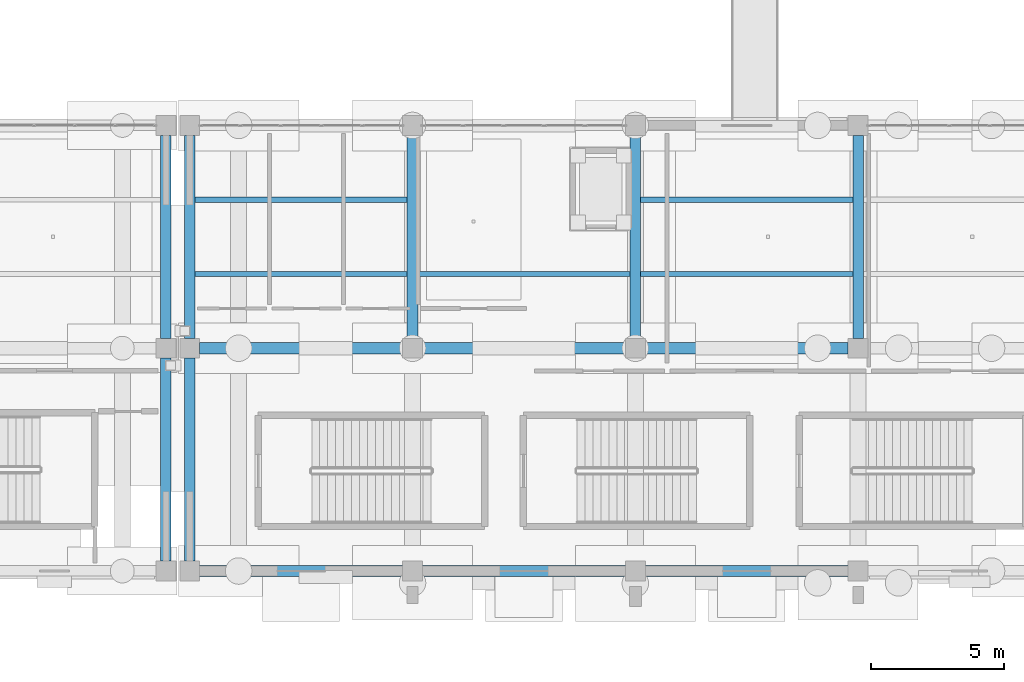
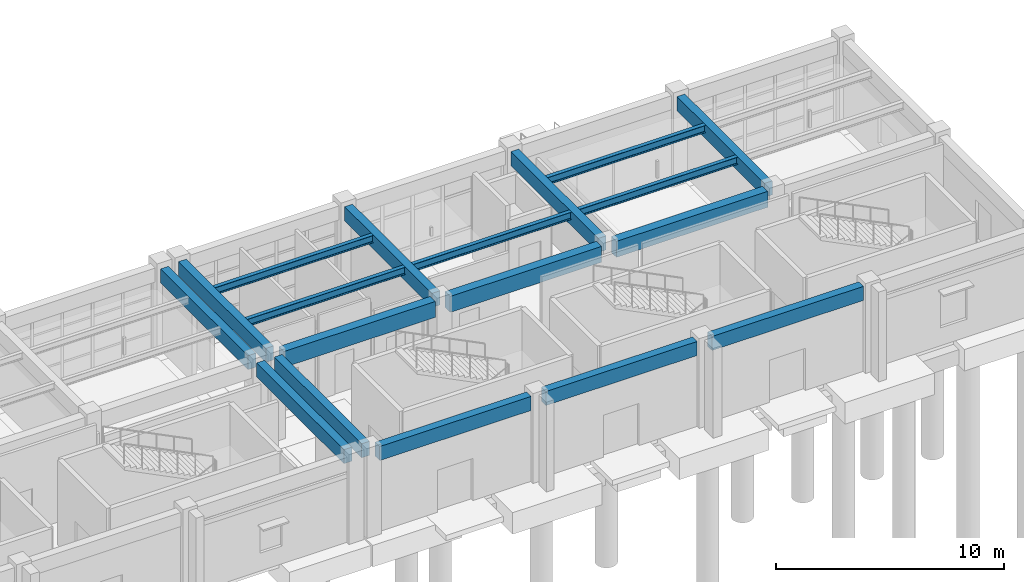
# One storey, part 8 of 29: 18 beams.
"""IFC4 building model written with IfcOpenShell, lengths in metres."""

from ifc_helpers import new_model, si_unit, direction, frame, origin, origin_2d, place, context, subcontext, project, spatial, rectangle, i_section, extrude, material, material_profile, profile_set, type_object, element, save


model = new_model("IFC4")

# Units and contexts
model_context = context("Model", 3, precision=1e-05, world=origin(), true_north=direction((0.0, 1.0)))
body_context = subcontext(model_context, "Body", "Model", "MODEL_VIEW")
ifc_project = project(units=[si_unit("LENGTHUNIT", "METRE"), si_unit("AREAUNIT", "SQUARE_METRE"), si_unit("VOLUMEUNIT", "CUBIC_METRE"), si_unit("PLANEANGLEUNIT", "RADIAN"), si_unit("MASSUNIT", "GRAM", prefix="KILO")], contexts=[model_context])

# Site, building, storey
site_placement = place(None, origin())
site = spatial("IfcSite", under=ifc_project, at=site_placement, CompositionType="ELEMENT")
building_placement = place(site_placement, origin())
building = spatial("IfcBuilding", under=site, at=building_placement, Name="Canglan Escarpment Cableway Terminal", CompositionType="ELEMENT")
storey_placement = place(building_placement, origin())
storey = spatial("IfcBuildingStorey", under=building, at=storey_placement, Name="L00", CompositionType="ELEMENT", Elevation=0.0)

# Beams
ifc_material_1 = material(Name="Concrete C40", Category="concrete")
ifc_material_profile_1 = material_profile(ifc_material_1, rectangle(XDim=0.39990234375, YDim=0.75, at=origin_2d()), Name="RC 400x750")
ifc_profile_set_1 = profile_set([ifc_material_profile_1], Name="Concrete C40")
beam_type_1 = type_object("IfcBeamType", Name="BM-RC400x750", PredefinedType="BEAM", material=ifc_profile_set_1)
beam_1_placement = place(storey_placement, frame((41.60009765625, 8.375, 4.175048828125), z_axis=(0.0, 1.0, 0.0), x_axis=(-1.0, 0.0, 0.0)))
element("IfcBeam", 1, at=beam_1_placement, inside=storey, type_object=beam_type_1, Name="Primary transverse girder B-03", PredefinedType="BEAM", context=body_context, shape_type="SweptSolid", body=[
    extrude(rectangle(XDim=0.39990234375, YDim=0.75, at=origin_2d()), origin(), (0.0, 0.0, 1.0), 7.64990234375),
])
beam_2_placement = place(storey_placement, frame((41.60009765625, 16.77490234375, 4.10498046875), z_axis=(0.0, 1.0, 0.0), x_axis=(-1.0, 0.0, 0.0)))
element("IfcBeam", 2, at=beam_2_placement, inside=storey, type_object=beam_type_1, Name="Primary transverse girder B-03", PredefinedType="BEAM", context=body_context, shape_type="SweptSolid", body=[
    extrude(rectangle(XDim=0.39990234375, YDim=0.75, at=origin_2d()), origin(), (0.0, 0.0, 1.0), 7.650146484375),
])
beam_3_placement = place(storey_placement, frame((42.5, 8.375, 4.175048828125), z_axis=(0.0, 1.0, 0.0), x_axis=(-1.0, 0.0, 0.0)))
element("IfcBeam", 3, at=beam_3_placement, inside=storey, type_object=beam_type_1, Name="Primary transverse girder B-03", PredefinedType="BEAM", context=body_context, shape_type="SweptSolid", body=[
    extrude(rectangle(XDim=0.39990234375, YDim=0.75, at=origin_2d()), origin(), (0.0, 0.0, 1.0), 7.64990234375),
])
for number, where, z_axis, x_axis, name in (
    (4, (42.5, 16.77490234375, 4.175048828125), (0.0, 1.0, 0.0), (-1.0, 0.0, 0.0), "Primary transverse girder B-03"),
    (5, (50.89990234375, 16.77490234375, 4.175048828125), (0.0, 1.0, 0.0), (-1.0, 0.0, 0.0), "Primary transverse girder B-03"),
    (6, (59.300048828125, 16.77490234375, 4.175048828125), (0.0, 1.0, 0.0), (-1.0, 0.0, 0.0), "Primary transverse girder B-03"),
    (7, (67.699951171875, 16.77490234375, 4.175048828125), (0.0, 1.0, 0.0), (-1.0, 0.0, 0.0), "Primary transverse girder B-03"),
):
    element("IfcBeam", number, at=place(storey_placement, frame(where, z_axis=z_axis, x_axis=x_axis)), inside=storey, type_object=beam_type_1, Name=name, PredefinedType="BEAM", context=body_context, shape_type="SweptSolid", body=[
        extrude(rectangle(XDim=0.39990234375, YDim=0.75, at=origin_2d()), origin(), (0.0, 0.0, 1.0), 7.650146484375),
    ])
ifc_material_profile_2 = material_profile(ifc_material_1, rectangle(XDim=0.449951171875, YDim=0.85009765625, at=origin_2d()), Name="RC 450x850")
ifc_profile_set_2 = profile_set([ifc_material_profile_2], Name="Concrete C40")
beam_type_2 = type_object("IfcBeamType", Name="BM-RC450x850", PredefinedType="BEAM", material=ifc_profile_set_2)
beam_4_placement = place(storey_placement, frame((42.875, 16.39990234375, 4.125), z_axis=(1.0, 0.0, 0.0), x_axis=(0.0, 1.0, 0.0)))
element("IfcBeam", 8, at=beam_4_placement, inside=storey, type_object=beam_type_2, Name="Primary structural girder B-02", PredefinedType="BEAM", context=body_context, shape_type="SweptSolid", body=[
    extrude(rectangle(XDim=0.449951171875, YDim=0.85009765625, at=origin_2d()), origin(), (0.0, 0.0, 1.0), 7.64990234375),
])
beam_5_placement = place(storey_placement, frame((51.27490234375, 16.39990234375, 4.125), z_axis=(1.0, 0.0, 0.0), x_axis=(0.0, 1.0, 0.0)))
element("IfcBeam", 9, at=beam_5_placement, inside=storey, type_object=beam_type_2, Name="Primary structural girder B-02", PredefinedType="BEAM", context=body_context, shape_type="SweptSolid", body=[
    extrude(rectangle(XDim=0.449951171875, YDim=0.85009765625, at=origin_2d()), origin(), (0.0, 0.0, 1.0), 7.650146484375),
])
beam_6_placement = place(storey_placement, frame((59.675048828125, 16.39990234375, 4.125), z_axis=(1.0, 0.0, 0.0), x_axis=(0.0, 1.0, 0.0)))
element("IfcBeam", 10, at=beam_6_placement, inside=storey, type_object=beam_type_2, Name="Primary structural girder B-02", PredefinedType="BEAM", context=body_context, shape_type="SweptSolid", body=[
    extrude(rectangle(XDim=0.449951171875, YDim=0.85009765625, at=origin_2d()), origin(), (0.0, 0.0, 1.0), 7.64990234375),
])
ifc_material_2 = material(Name="Steel Q355B", Category="steel")
ifc_material_profile_3 = material_profile(ifc_material_2, i_section(OverallWidth=0.199951171875, OverallDepth=0.39990234375, WebThickness=0.008056640625, FlangeThickness=0.012939453125, FilletRadius=0.01611328125, at=origin_2d()), Name="HN 400x200x8x13")
ifc_profile_set_3 = profile_set([ifc_material_profile_3], Name="Steel Q355B")
beam_type_3 = type_object("IfcBeamType", Name="JS-HN400", PredefinedType="JOIST", material=ifc_profile_set_3)
for number, where, z_axis, x_axis, name in (
    (11, (42.699951171875, 19.199951171875, 4.35009765625), (1.0, 0.0, 0.0), (0.0, 1.0, 0.0), "Secondary composite deck joist J-03"),
    (12, (42.699951171875, 22.0, 4.35009765625), (1.0, 0.0, 0.0), (0.0, 1.0, 0.0), "Secondary composite deck joist J-03"),
    (13, (51.10009765625, 19.199951171875, 4.35009765625), (1.0, 0.0, 0.0), (0.0, 1.0, 0.0), "Secondary composite deck joist J-03"),
    (14, (59.5, 19.199951171875, 4.35009765625), (1.0, 0.0, 0.0), (0.0, 1.0, 0.0), "Secondary composite deck joist J-03"),
    (15, (59.5, 22.0, 4.35009765625), (1.0, 0.0, 0.0), (0.0, 1.0, 0.0), "Secondary composite deck joist J-03"),
):
    element("IfcBeam", number, at=place(storey_placement, frame(where, z_axis=z_axis, x_axis=x_axis)), inside=storey, type_object=beam_type_3, Name=name, PredefinedType="JOIST", context=body_context, shape_type="SweptSolid", body=[
        extrude(i_section(OverallWidth=0.199951171875, OverallDepth=0.39990234375, WebThickness=0.008056640625, FlangeThickness=0.012939453125, FilletRadius=0.01611328125, at=origin_2d()), origin(), (0.0, 0.0, 1.0), 8.0),
    ])
ifc_material_profile_4 = material_profile(ifc_material_1, rectangle(XDim=0.39990234375, YDim=0.75, at=origin_2d()), Name="RC 400x750")
ifc_profile_set_4 = profile_set([ifc_material_profile_4], Name="Concrete C40")
beam_type_4 = type_object("IfcBeamType", Name="SP-RC400x750", PredefinedType="SPANDREL", material=ifc_profile_set_4)
beam_7_placement = place(storey_placement, frame((42.875, 8.0, 4.175048828125), z_axis=(1.0, 0.0, 0.0), x_axis=(0.0, 1.0, 0.0)))
element("IfcBeam", 16, at=beam_7_placement, inside=storey, type_object=beam_type_4, Name="Primary structural girder SP-01", PredefinedType="SPANDREL", context=body_context, shape_type="SweptSolid", body=[
    extrude(rectangle(XDim=0.39990234375, YDim=0.75, at=origin_2d()), origin(), (0.0, 0.0, 1.0), 7.64990234375),
])
beam_8_placement = place(storey_placement, frame((51.27490234375, 8.0, 4.175048828125), z_axis=(1.0, 0.0, 0.0), x_axis=(0.0, 1.0, 0.0)))
element("IfcBeam", 17, at=beam_8_placement, inside=storey, type_object=beam_type_4, Name="Primary structural girder SP-01", PredefinedType="SPANDREL", context=body_context, shape_type="SweptSolid", body=[
    extrude(rectangle(XDim=0.39990234375, YDim=0.75, at=origin_2d()), origin(), (0.0, 0.0, 1.0), 7.650146484375),
])
beam_9_placement = place(storey_placement, frame((59.675048828125, 8.0, 4.175048828125), z_axis=(1.0, 0.0, 0.0), x_axis=(0.0, 1.0, 0.0)))
element("IfcBeam", 18, at=beam_9_placement, inside=storey, type_object=beam_type_4, Name="Primary structural girder SP-01", PredefinedType="SPANDREL", context=body_context, shape_type="SweptSolid", body=[
    extrude(rectangle(XDim=0.39990234375, YDim=0.75, at=origin_2d()), origin(), (0.0, 0.0, 1.0), 7.64990234375),
])

save(model, "model.ifc")
